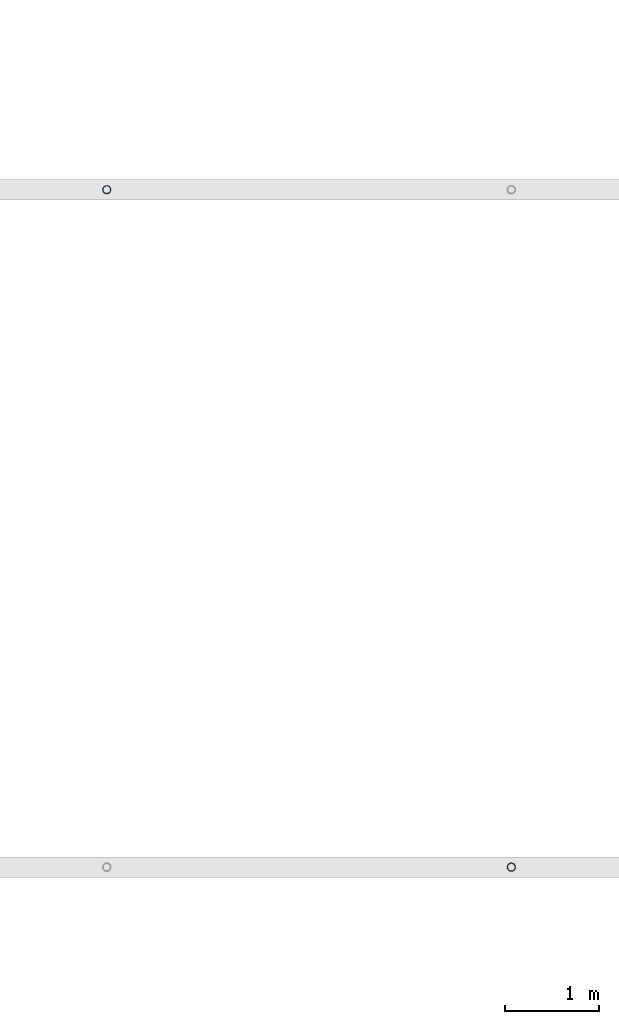
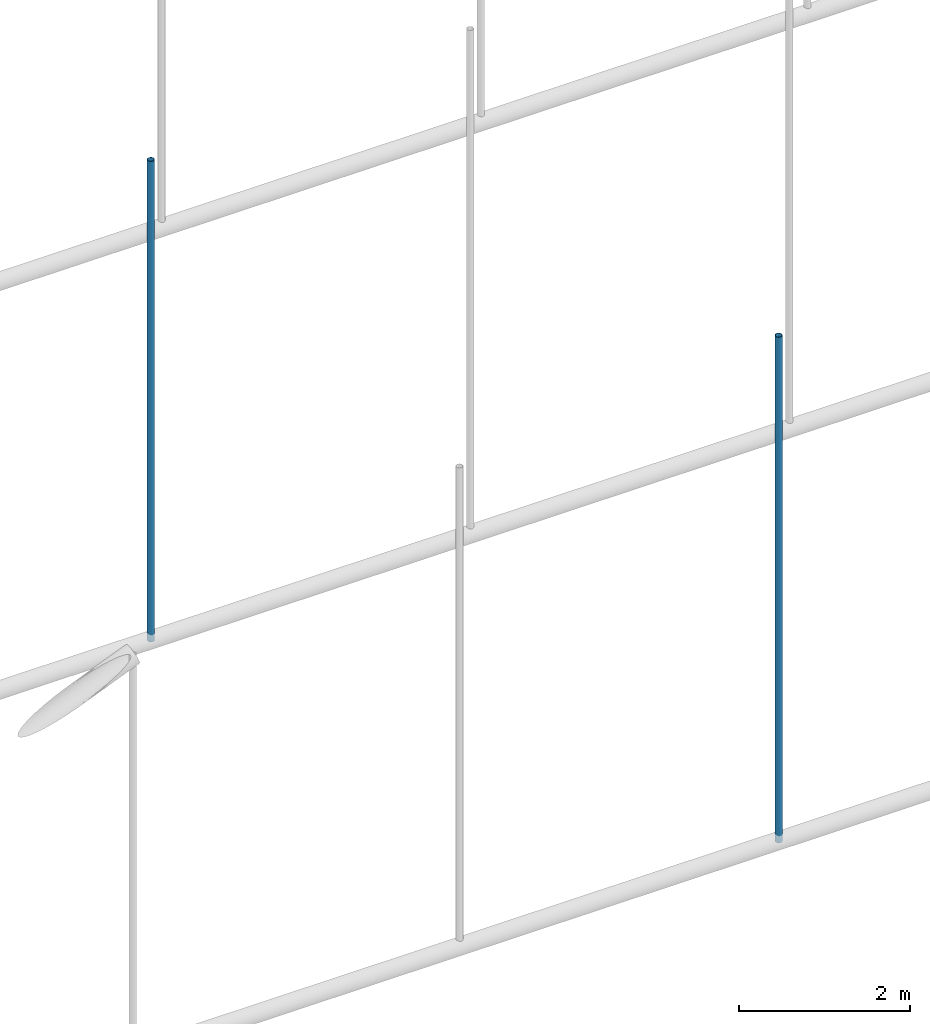
# One storey, part 12 of 101: 2 members.
"""IFC4 building model written with IfcOpenShell, lengths in metres."""

from ifc_helpers import new_model, si_unit, direction, frame, origin, origin_2d, place, context, subcontext, project, spatial, hollow_circle, extrude, material, material_profile, profile_set, type_object, element, save


model = new_model("IFC4")

# Units and contexts
model_context = context("Model", 3, precision=1e-05, world=origin(), true_north=direction((0.0, 1.0)))
body_context = subcontext(model_context, "Body", "Model", "MODEL_VIEW")
ifc_project = project(units=[si_unit("LENGTHUNIT", "METRE"), si_unit("AREAUNIT", "SQUARE_METRE"), si_unit("VOLUMEUNIT", "CUBIC_METRE"), si_unit("PLANEANGLEUNIT", "RADIAN"), si_unit("MASSUNIT", "GRAM", prefix="KILO")], contexts=[model_context])

# Site, building, storey
site_placement = place(None, origin())
site = spatial("IfcSite", under=ifc_project, at=site_placement, CompositionType="ELEMENT")
building_placement = place(site_placement, origin())
building = spatial("IfcBuilding", under=site, at=building_placement, Name="Laocheng Heights Fire and Rescue Headquarters", CompositionType="ELEMENT")
storey_placement = place(building_placement, frame((0.0, 0.0, 8.39990234375)))
storey = spatial("IfcBuildingStorey", under=building, at=storey_placement, Name="L02", CompositionType="ELEMENT", Elevation=8.39990234375)

# Members
ifc_material = material(Name="Steel Q355B", Category="steel")
ifc_material_profile = material_profile(ifc_material, hollow_circle(Radius=0.04443359375, WallThickness=0.0048828125, at=origin_2d()), Name="CHS 88.9x5")
ifc_profile_set = profile_set([ifc_material_profile], Name="Steel Q355B")
member_type = type_object("IfcMemberType", Name="BAY ROOF HANGER CHS 88.9x5", PredefinedType="POST", material=ifc_profile_set)
member_1_placement = place(storey_placement, frame((36.0, 0.0, 0.0), z_axis=(0.0, 0.0, 1.0), x_axis=(1.0, 0.0, 0.0)))
element("IfcMember", 1, at=member_1_placement, inside=storey, type_object=member_type, Name="Truss TR1 hanger 08", PredefinedType="POST", context=body_context, shape_type="SweptSolid", body=[
    extrude(hollow_circle(Radius=0.04443359375, WallThickness=0.0048828125, at=origin_2d()), origin(), (0.0, 0.0, 1.0), 7.2001953125),
])
member_2_placement = place(storey_placement, frame((31.699951171875, 7.199951171875, 0.0), z_axis=(0.0, 0.0, 1.0), x_axis=(1.0, 0.0, 0.0)))
element("IfcMember", 2, at=member_2_placement, inside=storey, type_object=member_type, Name="Truss TR2 hanger 06", PredefinedType="POST", context=body_context, shape_type="SweptSolid", body=[
    extrude(hollow_circle(Radius=0.04443359375, WallThickness=0.0048828125, at=origin_2d()), origin(), (0.0, 0.0, 1.0), 6.843017578125),
])

save(model, "model.ifc")
